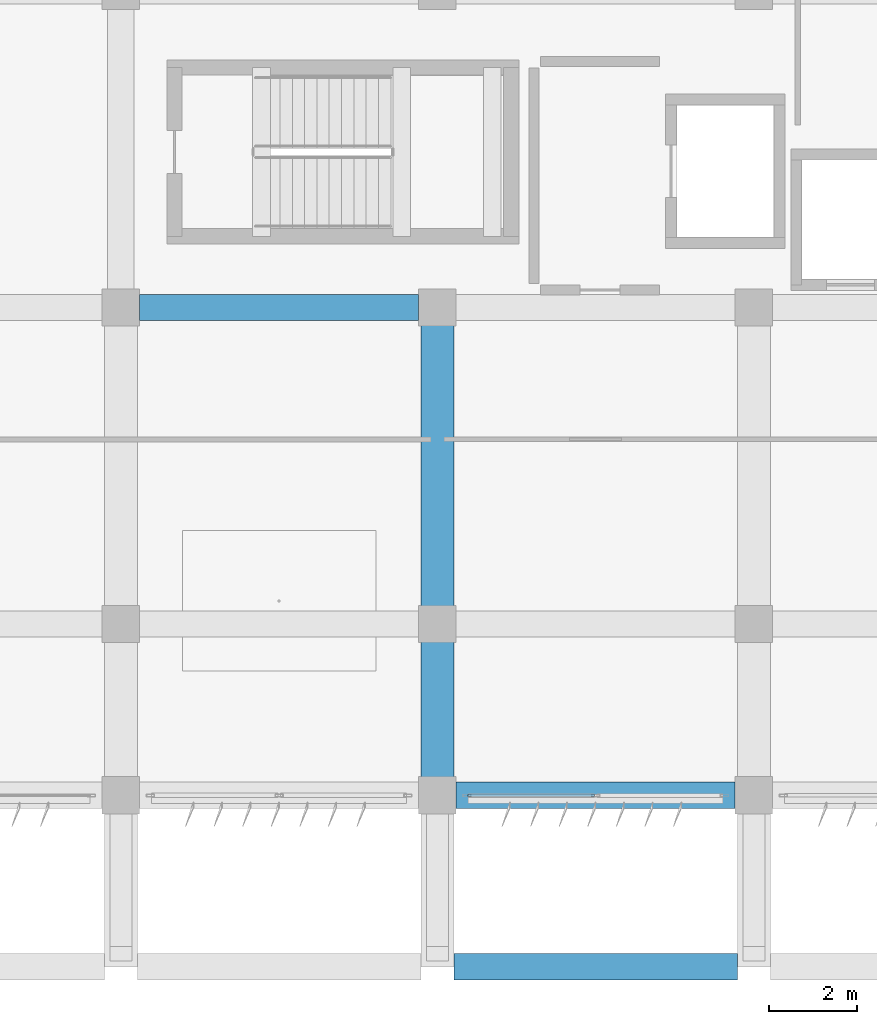
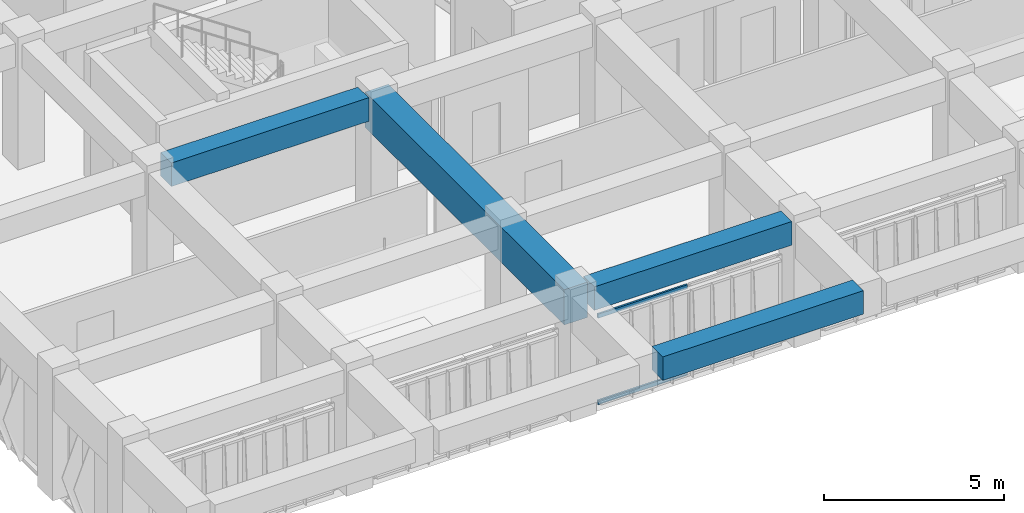
# One storey, part 5 of 56: 4 beams, 2 members, 1 element without a shape of its own.
"""IFC4 building model written with IfcOpenShell, lengths in metres."""

import ifcopenshell
import ifcopenshell.guid

model = None  # the IFC model being written
_history = None  # IfcOwnerHistory: only IFC2X3 demands one
_inside = {}  # id of a spatial element -> (the spatial element, [elements in it])
_under = {}  # id of a project, library or spatial element -> (it, [spatial elements below it])
_declared = {}  # id of a project -> (the project, [libraries it declares])
_typed = {}  # id of a type object -> (the type object, [elements of that type])
_made_of = {}  # id of a material, layer set ... -> (it, [elements and type objects made of it])


def new_model(schema):
    """Start an empty IFC model of exactly this schema.

    Asked for "IFC4X3", IfcOpenShell would pick the latest addendum, in which some entities
    have other attributes; the version numbers below select the first issue.
    IFC2X3 requires an IfcOwnerHistory on every rooted entity: one is made here for all.
    """
    global model, _history
    if schema == "IFC4X3":
        model = ifcopenshell.file(schema_version=(4, 3, 0, 0))
    else:
        model = ifcopenshell.file(schema=schema)
    _inside.clear()
    _under.clear()
    _declared.clear()
    _typed.clear()
    _made_of.clear()
    _history = None
    if model.schema == "IFC2X3":
        org = make("IfcOrganization", Name="unknown")
        user = make(
            "IfcPersonAndOrganization",
            ThePerson=make("IfcPerson", FamilyName="unknown"),
            TheOrganization=org,
        )
        app = make(
            "IfcApplication",
            ApplicationDeveloper=org,
            Version="unknown",
            ApplicationFullName="unknown",
            ApplicationIdentifier="unknown",
        )
        _history = make(
            "IfcOwnerHistory",
            OwningUser=user,
            OwningApplication=app,
            ChangeAction="ADDED",
            CreationDate=0,
        )
    return model


def make(cls, **values):
    """One entity of the class cls with the attributes given. An attribute that is None is left unset."""
    return model.create_entity(
        cls, **{name: value for name, value in values.items() if value is not None}
    )


def rooted(cls, **values):
    """An entity with a GlobalId (a new one), such as an element, a storey or a relation."""
    return make(cls, GlobalId=ifcopenshell.guid.new(), OwnerHistory=_history, **values)


def si_unit(unit_type, name, prefix=None):
    """IfcSIUnit, for example si_unit("LENGTHUNIT", "METRE", prefix="MILLI")."""
    return make("IfcSIUnit", UnitType=unit_type, Prefix=prefix, Name=name)


def assignment(units):
    """IfcUnitAssignment: the units of a project."""
    return None if units is None else make("IfcUnitAssignment", Units=units)


def point(xyz):
    """IfcCartesianPoint."""
    return None if xyz is None else make("IfcCartesianPoint", Coordinates=xyz)


def direction(xyz):
    """IfcDirection."""
    return None if xyz is None else make("IfcDirection", DirectionRatios=xyz)


def frame(location, z_axis=None, x_axis=None):
    """IfcAxis2Placement3D, a coordinate frame: its origin and axes. An axis left out is left unset."""
    return make(
        "IfcAxis2Placement3D",
        Location=point(location),
        Axis=direction(z_axis),
        RefDirection=direction(x_axis),
    )


def frame_2d(location, x_axis=None):
    """IfcAxis2Placement2D, a coordinate frame in the plane: its origin and x axis."""
    return make(
        "IfcAxis2Placement2D", Location=point(location), RefDirection=direction(x_axis)
    )


def origin():
    """The frame at (0, 0, 0) with its axes left unset."""
    return frame((0.0, 0.0, 0.0))


def origin_2d():
    """The frame at (0, 0) in the plane with its x axis left unset."""
    return frame_2d((0.0, 0.0))


def place(relative_to, where):
    """IfcLocalPlacement: puts the frame where relative to a parent placement (None: the world)."""
    return make(
        "IfcLocalPlacement", PlacementRelTo=relative_to, RelativePlacement=where
    )


def context(
    kind, dimensions, precision=None, world=None, true_north=None, identifier=None
):
    """IfcGeometricRepresentationContext, for example the 3D "Model" context."""
    return make(
        "IfcGeometricRepresentationContext",
        ContextIdentifier=identifier,
        ContextType=kind,
        CoordinateSpaceDimension=dimensions,
        Precision=precision,
        WorldCoordinateSystem=world,
        TrueNorth=true_north,
    )


def subcontext(parent, identifier, kind, view, scale=None):
    """IfcGeometricRepresentationSubContext, for example "Body" below "Model"."""
    return make(
        "IfcGeometricRepresentationSubContext",
        ContextIdentifier=identifier,
        ContextType=kind,
        ParentContext=parent,
        TargetScale=scale,
        TargetView=view,
    )


def project(units=None, contexts=None):
    """IfcProject with its units and contexts."""
    return rooted(
        "IfcProject",
        Name="project",
        RepresentationContexts=contexts,
        UnitsInContext=assignment(units),
    )


def spatial(cls, under=None, at=None, **own):
    """A site, building, storey or space (cls), placed at a placement, below another one or the project."""
    s = rooted(cls, ObjectPlacement=at, **own)
    if under is not None:
        _under.setdefault(under.id(), (under, []))[1].append(s)
    return s


def profile(cls, at=None, kind="AREA", **sizes):
    """A parametric profile (cls). Its sizes go by their IFC names, for example OverallWidth=200.0."""
    return make(cls, ProfileType=kind, Position=at, **sizes)


def rectangle(**sizes):
    """IfcRectangleProfileDef."""
    return profile("IfcRectangleProfileDef", **sizes)


def hollow_rectangle(**sizes):
    """IfcRectangleHollowProfileDef."""
    return profile("IfcRectangleHollowProfileDef", **sizes)


def extrude(swept, where, along, depth):
    """IfcExtrudedAreaSolid: the profile swept, set in the frame where, extruded along a direction by depth."""
    return make(
        "IfcExtrudedAreaSolid",
        SweptArea=swept,
        Position=where,
        ExtrudedDirection=direction(along),
        Depth=depth,
    )


def shape(context_of_items, identifier, shape_type, items):
    """IfcShapeRepresentation: the items that make up one representation, for example the "Body"."""
    return make(
        "IfcShapeRepresentation",
        ContextOfItems=context_of_items,
        RepresentationIdentifier=identifier,
        RepresentationType=shape_type,
        Items=items,
    )


def material(Name=None, Category=None):
    """IfcMaterial."""
    return make("IfcMaterial", Name=Name, Category=Category)


def material_profile(
    of_material, cross_section, Name=None, Category=None, Priority=None
):
    """IfcMaterialProfile: a cross section and its material."""
    return make(
        "IfcMaterialProfile",
        Name=Name,
        Material=of_material,
        Profile=cross_section,
        Priority=Priority,
        Category=Category,
    )


def profile_set(profiles, Name=None, composite=None):
    """IfcMaterialProfileSet."""
    return make(
        "IfcMaterialProfileSet",
        Name=Name,
        MaterialProfiles=profiles,
        CompositeProfile=composite,
    )


def made_of(thing, what):
    """Note that an element or type object is made of a material, layer set ...; save() writes the relation."""
    if what is not None:
        _made_of.setdefault(what.id(), (what, []))[1].append(thing)
    return thing


def type_object(cls, material=None, **own):
    """A type object (cls), such as IfcWallType, which elements share."""
    return made_of(rooted(cls, **own), material)


def element(
    cls,
    number,
    at=None,
    inside=None,
    cuts=None,
    type_object=None,
    material=None,
    context=None,
    identifier="Body",
    shape_type=None,
    held_by="IfcProductDefinitionShape",
    body=None,
    shapes=None,
    **own,
):
    """One element of the class cls, such as IfcWall. Its Tag is "e" and its number.

    at: its placement. inside: the storey or other place that contains it. cuts: it is an
    opening in that element (IfcRelVoidsElement). A single representation is given by context,
    identifier, shape_type and body (its items); several are given by shapes. held_by: the class
    of the entity that holds the representations. save() writes the other relations.
    """
    e = rooted(cls, Tag="e%d" % number, ObjectPlacement=at, **own)
    if body is not None:
        shapes = [shape(context, identifier, shape_type, body)]
    if shapes is not None:
        e.Representation = make(held_by, Representations=shapes)
    if inside is not None:
        _inside.setdefault(inside.id(), (inside, []))[1].append(e)
    if cuts is not None:
        rooted(
            "IfcRelVoidsElement", RelatingBuildingElement=cuts, RelatedOpeningElement=e
        )
    if type_object is not None:
        _typed.setdefault(type_object.id(), (type_object, []))[1].append(e)
    return made_of(e, material)


def aggregate(whole, parts):
    """IfcRelAggregates: a whole, such as a stair, and the parts it consists of."""
    return rooted("IfcRelAggregates", RelatingObject=whole, RelatedObjects=parts)


def save(model, path):
    """Write the relations noted so far, then the file.

    IfcRelAggregates (storeys below a building ...), IfcRelContainedInSpatialStructure (elements
    in a storey), IfcRelDefinesByType, IfcRelAssociatesMaterial and IfcRelDeclares: one each for
    every whole, place, type object, material and project.
    """
    for whole, parts in _under.values():
        aggregate(whole, parts)
    for where, things in _inside.values():
        rooted(
            "IfcRelContainedInSpatialStructure",
            RelatedElements=things,
            RelatingStructure=where,
        )
    for kind, things in _typed.values():
        rooted("IfcRelDefinesByType", RelatedObjects=things, RelatingType=kind)
    for what, things in _made_of.values():
        rooted("IfcRelAssociatesMaterial", RelatedObjects=things, RelatingMaterial=what)
    for by, libraries in _declared.values():
        rooted("IfcRelDeclares", RelatingContext=by, RelatedDefinitions=libraries)
    model.write(path)


model = new_model("IFC4")

# Units and contexts
model_context = context("Model", 3, precision=1e-05, world=origin(), true_north=direction((0.0, 1.0)))
body_context = subcontext(model_context, "Body", "Model", "MODEL_VIEW")
ifc_project = project(units=[si_unit("LENGTHUNIT", "METRE"), si_unit("AREAUNIT", "SQUARE_METRE"), si_unit("VOLUMEUNIT", "CUBIC_METRE"), si_unit("PLANEANGLEUNIT", "RADIAN"), si_unit("MASSUNIT", "GRAM", prefix="KILO")], contexts=[model_context])

# Site, building, storey
site_placement = place(None, origin())
site = spatial("IfcSite", under=ifc_project, at=site_placement, CompositionType="ELEMENT")
building_placement = place(site_placement, origin())
building = spatial("IfcBuilding", under=site, at=building_placement, Name="Kazehaya Institute of Natural Sciences", CompositionType="ELEMENT")
storey_placement = place(building_placement, frame((0.0, 0.0, 24.300048828125)))
storey = spatial("IfcBuildingStorey", under=building, at=storey_placement, Name="L05", CompositionType="ELEMENT", Elevation=24.300048828125)

# Beams
ifc_material_1 = material(Name="Concrete Fc36", Category="concrete")
ifc_material_profile_1 = material_profile(ifc_material_1, rectangle(XDim=0.60009765625, YDim=0.800048828125, at=origin_2d()), Name="RC-600x800")
ifc_profile_set_1 = profile_set([ifc_material_profile_1], Name="Concrete Fc36")
beam_type_1 = type_object("IfcBeamType", Name="BM-G-600x800", PredefinedType="BEAM", material=ifc_profile_set_1)
beam_1_placement = place(storey_placement, frame((69.375, 6.199951171875, 3.829833984375), z_axis=(1.0, 0.0, 0.0), x_axis=(0.0, 1.0, 0.0)))
element("IfcBeam", 1, at=beam_1_placement, inside=storey, type_object=beam_type_1, Name="L05 primary X girder BMX-L05-690-62", PredefinedType="BEAM", context=body_context, shape_type="SweptSolid", body=[
    extrude(rectangle(XDim=0.60009765625, YDim=0.800048828125, at=origin_2d()), origin(), (0.0, 0.0, 1.0), 6.449951171875),
])
for number, where, z_axis, x_axis, name in (
    (2, (69.425048828125, 10.10009765625, 3.829833984375), (1.0, 0.0, 0.0), (0.0, 1.0, 0.0), "L05 primary X girder BMX-L05-690-101"),
    (3, (62.22509765625, 21.199951171875, 3.829833984375), (1.0, 0.0, 0.0), (0.0, 1.0, 0.0), "L05 primary X girder BMX-L05-618-212"),
):
    element("IfcBeam", number, at=place(storey_placement, frame(where, z_axis=z_axis, x_axis=x_axis)), inside=storey, type_object=beam_type_1, Name=name, PredefinedType="BEAM", context=body_context, shape_type="SweptSolid", body=[
        extrude(rectangle(XDim=0.60009765625, YDim=0.800048828125, at=origin_2d()), origin(), (0.0, 0.0, 1.0), 6.349853515625),
    ])
ifc_material_2 = material(Name="Concrete Fc42", Category="concrete")
ifc_material_profile_2 = material_profile(ifc_material_2, rectangle(XDim=0.75, YDim=1.199951171875, at=origin_2d()), Name="RC-750x1200")
ifc_profile_set_2 = profile_set([ifc_material_profile_2], Name="Concrete Fc42")
beam_type_2 = type_object("IfcBeamType", Name="BM-TG-750x1200", PredefinedType="BEAM", material=ifc_profile_set_2)
beam_2_placement = place(storey_placement, frame((69.0, 10.10009765625, 3.6298828125), z_axis=(0.0, 1.0, 0.0), x_axis=(-1.0, 0.0, 0.0)))
element("IfcBeam", 4, at=beam_2_placement, inside=storey, type_object=beam_type_2, Name="L05 transfer girder back-span 1717", PredefinedType="BEAM", context=body_context, shape_type="SweptSolid", body=[
    extrude(rectangle(XDim=0.75, YDim=1.199951171875, at=origin_2d()), origin(), (0.0, 0.0, 1.0), 11.099853515625),
])

# Curtain wall, members
ifc_material_3 = material(Name="Aluminium alloy A6063S-T5", Category="aluminium")
curtain_wall_type = type_object("IfcCurtainWallType", Name="CW-SYS-04", PredefinedType="NOTDEFINED", material=ifc_material_3)
curtain_wall_placement = place(storey_placement, origin())
curtain_wall = element("IfcCurtainWall", 5, at=curtain_wall_placement, inside=storey, type_object=curtain_wall_type, Name="L05 unitised curtain wall CW-L05-100", PredefinedType="NOTDEFINED")
ifc_material_profile_3 = material_profile(ifc_material_3, hollow_rectangle(XDim=0.06005859375, YDim=0.139892578125, WallThickness=0.00341796875, at=origin_2d()), Name="ALU-60x140x3.5")
ifc_profile_set_3 = profile_set([ifc_material_profile_3], Name="Aluminium alloy A6063S-T5")
member_type = type_object("IfcMemberType", Name="CWT-140", PredefinedType="USERDEFINED", material=ifc_profile_set_3)
member_1_placement = place(storey_placement, frame((72.570068359375, 10.10009765625, 0.030029296875), z_axis=(-1.0, 0.0, 0.0), x_axis=(0.0, -1.0, 0.0)))
member_1 = element("IfcMember", 6, at=member_1_placement, type_object=member_type, Name="CW04 transom 2.1", ObjectType="TRANSOM", PredefinedType="USERDEFINED", context=body_context, shape_type="SweptSolid", body=[
    extrude(hollow_rectangle(XDim=0.06005859375, YDim=0.139892578125, WallThickness=0.00341796875, at=origin_2d()), origin(), (0.0, 0.0, 1.0), 2.8701171875),
])
member_2_placement = place(storey_placement, frame((72.570068359375, 10.10009765625, 2.969970703125), z_axis=(-1.0, 0.0, 0.0), x_axis=(0.0, -1.0, 0.0)))
member_2 = element("IfcMember", 7, at=member_2_placement, type_object=member_type, Name="CW04 transom 2.2", ObjectType="TRANSOM", PredefinedType="USERDEFINED", context=body_context, shape_type="SweptSolid", body=[
    extrude(hollow_rectangle(XDim=0.06005859375, YDim=0.139892578125, WallThickness=0.00341796875, at=origin_2d()), origin(), (0.0, 0.0, 1.0), 2.8701171875),
])
aggregate(curtain_wall, [member_1, member_2])

save(model, "model.ifc")
